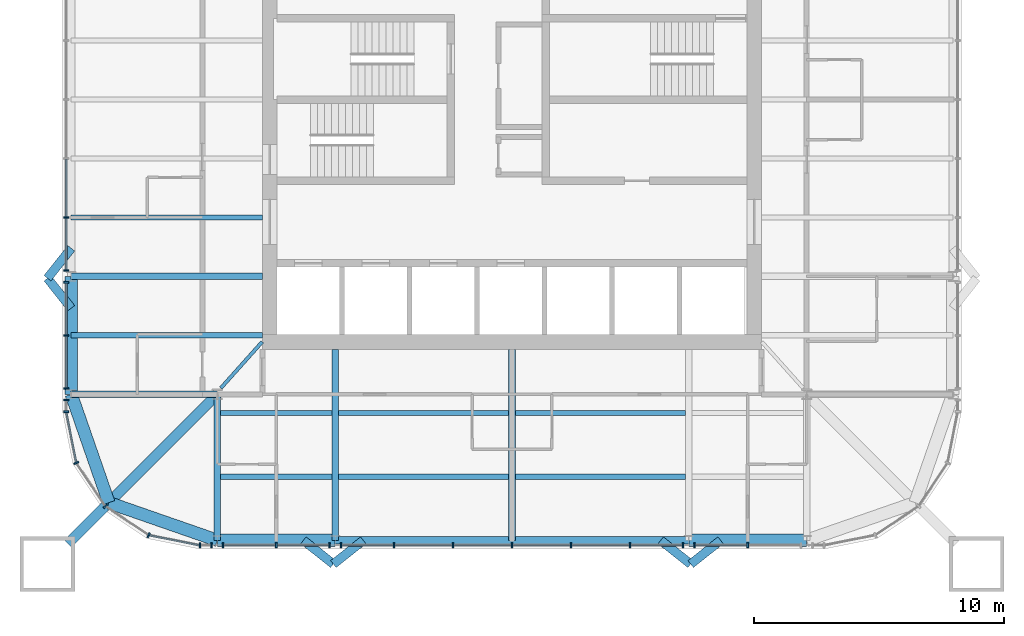
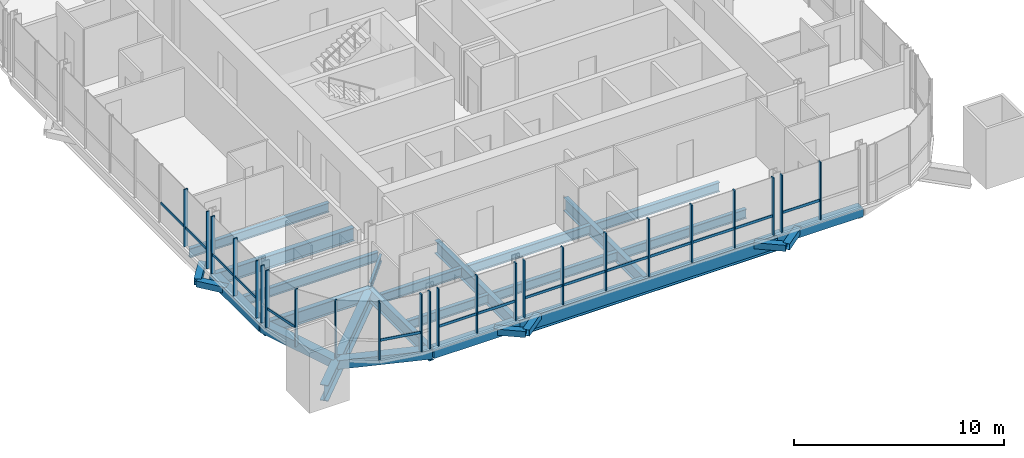
# One storey, part 2 of 17: 39 members, 27 beams, 8 elements without a shape of their own.
"""IFC4 building model written with IfcOpenShell, lengths in metres."""

from ifc_helpers import new_model, si_unit, direction, frame, origin, origin_2d, place, context, subcontext, project, spatial, rectangle, hollow_rectangle, i_section, extrude, material, material_profile, profile_set, type_object, element, aggregate, save


model = new_model("IFC4")

# Units and contexts
model_context = context("Model", 3, precision=1e-05, world=origin(), true_north=direction((0.0, 1.0)))
body_context = subcontext(model_context, "Body", "Model", "MODEL_VIEW")
ifc_project = project(units=[si_unit("LENGTHUNIT", "METRE"), si_unit("AREAUNIT", "SQUARE_METRE"), si_unit("VOLUMEUNIT", "CUBIC_METRE"), si_unit("PLANEANGLEUNIT", "RADIAN"), si_unit("MASSUNIT", "GRAM", prefix="KILO")], contexts=[model_context])

# Site, building, storey
site_placement = place(None, origin())
site = spatial("IfcSite", under=ifc_project, at=site_placement, CompositionType="ELEMENT")
building_placement = place(site_placement, origin())
building = spatial("IfcBuilding", under=site, at=building_placement, Name="Turquesa Mirador Hotel Tower", CompositionType="ELEMENT")
storey_placement = place(building_placement, frame((0.0, 0.0, 240.699951171875)))
storey = spatial("IfcBuildingStorey", under=building, at=storey_placement, Name="L65", CompositionType="ELEMENT", Elevation=240.699951171875)

# Beams
ifc_material_1 = material(Name="Steel ASTM A572 Grade 50", Category="steel")
ifc_material_profile_1 = material_profile(ifc_material_1, hollow_rectangle(XDim=0.5, YDim=0.5, WallThickness=0.01611328125, at=origin_2d()), Name="BOX500X500X16")
ifc_profile_set_1 = profile_set([ifc_material_profile_1], Name="Steel ASTM A572 Grade 50")
beam_type_1 = type_object("IfcBeamType", Name="BEAM BOX500X500X16", PredefinedType="BEAM", material=ifc_profile_set_1)
for number, where, z_axis, x_axis, name in (
    (1, (43.199951171875, 27.35009765625, -0.419921875), (1.0, 0.0, 0.0), (0.0, 1.0, 0.0), "EB-L65-S-L"),
    (2, (62.080078125, 27.35009765625, -0.419921875), (1.0, 0.0, 0.0), (0.0, 1.0, 0.0), "EB-L65-S-R"),
    (3, (37.35009765625, 33.199951171875, -0.419921875), (0.0, 1.0, 0.0), (-1.0, 0.0, 0.0), "EB-L65-W-L"),
):
    element("IfcBeam", number, at=place(storey_placement, frame(where, z_axis=z_axis, x_axis=x_axis)), inside=storey, type_object=beam_type_1, Name=name, PredefinedType="BEAM", context=body_context, shape_type="SweptSolid", body=[
        extrude(hollow_rectangle(XDim=0.5, YDim=0.5, WallThickness=0.01611328125, at=origin_2d()), origin(), (0.0, 0.0, 1.0), 4.719970703125),
    ])
for number, where, z_axis, x_axis, name in (
    (4, (37.35009765625, 33.199951171875, -0.419921875), (0.328170356092, -0.944618556552, 0.0), (0.944618556552, 0.328170356092, 0.0), "KE-L65-3-0"),
    (5, (38.8583984375, 28.8583984375, -0.419921875), (0.944618556552, -0.328170356092, 0.0), (0.328170356092, 0.944618556552, 0.0), "KE-L65-3-1"),
):
    element("IfcBeam", number, at=place(storey_placement, frame(where, z_axis=z_axis, x_axis=x_axis)), inside=storey, type_object=beam_type_1, Name=name, PredefinedType="BEAM", context=body_context, shape_type="SweptSolid", body=[
        extrude(hollow_rectangle(XDim=0.5, YDim=0.5, WallThickness=0.01611328125, at=origin_2d()), origin(), (0.0, 0.0, 1.0), 4.59619140625),
    ])
ifc_material_2 = material(Name="Steel ASTM A992 Grade 50", Category="steel")
ifc_material_profile_2 = material_profile(ifc_material_2, i_section(OverallWidth=0.140380859375, OverallDepth=0.40380859375, WebThickness=0.007080078125, FlangeThickness=0.01123046875, at=origin_2d()), Name="W16X31")
ifc_profile_set_2 = profile_set([ifc_material_profile_2], Name="Steel ASTM A992 Grade 50")
beam_type_2 = type_object("IfcBeamType", Name="BEAM W16X31", PredefinedType="BEAM", material=ifc_profile_set_2)
beam_1_placement = place(storey_placement, frame((43.343505859375, 33.44873046875, -0.371826171875), z_axis=(0.666806350186, 0.745231032198, 0.0), x_axis=(-0.745231032198, 0.666806350186, 0.0)))
element("IfcBeam", 6, at=beam_1_placement, inside=storey, type_object=beam_type_2, Name="KT-L65-3", PredefinedType="BEAM", context=body_context, shape_type="SweptSolid", body=[
    extrude(i_section(OverallWidth=0.140380859375, OverallDepth=0.40380859375, WebThickness=0.007080078125, FlangeThickness=0.01123046875, at=origin_2d()), origin(), (0.0, 0.0, 1.0), 2.484130859375),
])
ifc_material_3 = material(Name="Steel ASTM A992 Grade 50", Category="steel")
ifc_material_profile_3 = material_profile(ifc_material_3, i_section(OverallWidth=0.209228515625, OverallDepth=0.533447265625, WebThickness=0.01025390625, FlangeThickness=0.015625, at=origin_2d()), Name="W21X62")
ifc_profile_set_3 = profile_set([ifc_material_profile_3], Name="Steel ASTM A992 Grade 50")
beam_type_3 = type_object("IfcBeamType", Name="BEAM W21X62", PredefinedType="BEAM", material=ifc_profile_set_3)
beam_2_placement = place(storey_placement, frame((43.333251953125, 32.449951171875, -0.436767578125), z_axis=(1.0, 0.0, 0.0), x_axis=(0.0, 1.0, 0.0)))
element("IfcBeam", 7, at=beam_2_placement, inside=storey, type_object=beam_type_3, Name="IB-L65-S-1-0", PredefinedType="BEAM", context=body_context, shape_type="SweptSolid", body=[
    extrude(i_section(OverallWidth=0.209228515625, OverallDepth=0.533447265625, WebThickness=0.01025390625, FlangeThickness=0.015625, at=origin_2d()), origin(), (0.0, 0.0, 1.0), 4.453369140625),
])
for number, where, z_axis, x_axis, name in (
    (8, (48.053466796875, 32.449951171875, -0.436767578125), (1.0, 0.0, 0.0), (0.0, 1.0, 0.0), "IB-L65-S-1-1"),
    (9, (55.13330078125, 32.449951171875, -0.436767578125), (1.0, 0.0, 0.0), (0.0, 1.0, 0.0), "IB-L65-S-1-2"),
):
    element("IfcBeam", number, at=place(storey_placement, frame(where, z_axis=z_axis, x_axis=x_axis)), inside=storey, type_object=beam_type_3, Name=name, PredefinedType="BEAM", context=body_context, shape_type="SweptSolid", body=[
        extrude(i_section(OverallWidth=0.209228515625, OverallDepth=0.533447265625, WebThickness=0.01025390625, FlangeThickness=0.015625, at=origin_2d()), origin(), (0.0, 0.0, 1.0), 6.813232421875),
    ])
beam_3_placement = place(storey_placement, frame((43.333251953125, 29.89990234375, -0.436767578125), z_axis=(1.0, 0.0, 0.0), x_axis=(0.0, 1.0, 0.0)))
element("IfcBeam", 10, at=beam_3_placement, inside=storey, type_object=beam_type_3, Name="IB-L65-S-2-0", PredefinedType="BEAM", context=body_context, shape_type="SweptSolid", body=[
    extrude(i_section(OverallWidth=0.209228515625, OverallDepth=0.533447265625, WebThickness=0.01025390625, FlangeThickness=0.015625, at=origin_2d()), origin(), (0.0, 0.0, 1.0), 4.453369140625),
])
for number, where, z_axis, x_axis, name in (
    (11, (48.053466796875, 29.89990234375, -0.436767578125), (1.0, 0.0, 0.0), (0.0, 1.0, 0.0), "IB-L65-S-2-1"),
    (12, (55.13330078125, 29.89990234375, -0.436767578125), (1.0, 0.0, 0.0), (0.0, 1.0, 0.0), "IB-L65-S-2-2"),
):
    element("IfcBeam", number, at=place(storey_placement, frame(where, z_axis=z_axis, x_axis=x_axis)), inside=storey, type_object=beam_type_3, Name=name, PredefinedType="BEAM", context=body_context, shape_type="SweptSolid", body=[
        extrude(i_section(OverallWidth=0.209228515625, OverallDepth=0.533447265625, WebThickness=0.01025390625, FlangeThickness=0.015625, at=origin_2d()), origin(), (0.0, 0.0, 1.0), 6.813232421875),
    ])
for number, where, z_axis, x_axis, name in (
    (13, (37.35009765625, 35.56005859375, -0.436767578125), (1.0, 0.0, 0.0), (0.0, 1.0, 0.0), "BM-L65-W--9.44"),
    (14, (37.35009765625, 40.280029296875, -0.436767578125), (1.0, 0.0, 0.0), (0.0, 1.0, 0.0), "BM-L65-W--4.72"),
):
    element("IfcBeam", number, at=place(storey_placement, frame(where, z_axis=z_axis, x_axis=x_axis)), inside=storey, type_object=beam_type_3, Name=name, PredefinedType="BEAM", context=body_context, shape_type="SweptSolid", body=[
        extrude(i_section(OverallWidth=0.209228515625, OverallDepth=0.533447265625, WebThickness=0.01025390625, FlangeThickness=0.015625, at=origin_2d()), origin(), (0.0, 0.0, 1.0), 7.64990234375),
    ])
ifc_material_4 = material(Name="Steel ASTM A992 Grade 50", Category="steel")
ifc_material_profile_4 = material_profile(ifc_material_4, i_section(OverallWidth=0.2666015625, OverallDepth=0.7568359375, WebThickness=0.013916015625, FlangeThickness=0.019287109375, at=origin_2d()), Name="W30X108")
ifc_profile_set_4 = profile_set([ifc_material_profile_4], Name="Steel ASTM A992 Grade 50")
beam_type_4 = type_object("IfcBeamType", Name="BEAM W30X108", PredefinedType="BEAM", material=ifc_profile_set_4)
for number, where, z_axis, x_axis, name in (
    (15, (47.919921875, 27.35009765625, -0.54833984375), (0.0, 1.0, 0.0), (-1.0, 0.0, 0.0), "GD-L65-S--7.08"),
    (16, (55.0, 27.35009765625, -0.54833984375), (0.0, 1.0, 0.0), (-1.0, 0.0, 0.0), "GD-L65-S-+0.00"),
):
    element("IfcBeam", number, at=place(storey_placement, frame(where, z_axis=z_axis, x_axis=x_axis)), inside=storey, type_object=beam_type_4, Name=name, PredefinedType="BEAM", context=body_context, shape_type="SweptSolid", body=[
        extrude(i_section(OverallWidth=0.2666015625, OverallDepth=0.7568359375, WebThickness=0.013916015625, FlangeThickness=0.019287109375, at=origin_2d()), origin(), (0.0, 0.0, 1.0), 7.64990234375),
    ])
beam_4_placement = place(storey_placement, frame((43.199951171875, 27.35009765625, -0.54833984375), z_axis=(0.0, 1.0, 0.0), x_axis=(-1.0, 0.0, 0.0)))
element("IfcBeam", 17, at=beam_4_placement, inside=storey, type_object=beam_type_4, Name="GK-L65-S--11.80", PredefinedType="BEAM", context=body_context, shape_type="SweptSolid", body=[
    extrude(i_section(OverallWidth=0.2666015625, OverallDepth=0.7568359375, WebThickness=0.013916015625, FlangeThickness=0.019287109375, at=origin_2d()), origin(), (0.0, 0.0, 1.0), 5.849853515625),
])
beam_5_placement = place(storey_placement, frame((37.35009765625, 37.919921875, -0.54833984375), z_axis=(1.0, 0.0, 0.0), x_axis=(0.0, 1.0, 0.0)))
element("IfcBeam", 18, at=beam_5_placement, inside=storey, type_object=beam_type_4, Name="GD-L65-W--7.08", PredefinedType="BEAM", context=body_context, shape_type="SweptSolid", body=[
    extrude(i_section(OverallWidth=0.2666015625, OverallDepth=0.7568359375, WebThickness=0.013916015625, FlangeThickness=0.019287109375, at=origin_2d()), origin(), (0.0, 0.0, 1.0), 7.64990234375),
])
beam_6_placement = place(storey_placement, frame((37.35009765625, 33.199951171875, -0.54833984375), z_axis=(1.0, 0.0, 0.0), x_axis=(0.0, 1.0, 0.0)))
element("IfcBeam", 19, at=beam_6_placement, inside=storey, type_object=beam_type_4, Name="GK-L65-W--11.80", PredefinedType="BEAM", context=body_context, shape_type="SweptSolid", body=[
    extrude(i_section(OverallWidth=0.2666015625, OverallDepth=0.7568359375, WebThickness=0.013916015625, FlangeThickness=0.019287109375, at=origin_2d()), origin(), (0.0, 0.0, 1.0), 5.849853515625),
])
ifc_material_5 = material(Name="Steel ASTM A992 Grade 50", Category="steel")
ifc_material_profile_5 = material_profile(ifc_material_5, i_section(OverallWidth=0.3046875, OverallDepth=0.911865234375, WebThickness=0.015869140625, FlangeThickness=0.02392578125, at=origin_2d()), Name="W36X150")
ifc_profile_set_5 = profile_set([ifc_material_profile_5], Name="Steel ASTM A992 Grade 50")
beam_type_5 = type_object("IfcBeamType", Name="BEAM W36X150", PredefinedType="BEAM", material=ifc_profile_set_5)
beam_7_placement = place(storey_placement, frame((47.919921875, 27.35009765625, -0.6259765625), z_axis=(1.0, 0.0, 0.0), x_axis=(0.0, 1.0, 0.0)))
element("IfcBeam", 20, at=beam_7_placement, inside=storey, type_object=beam_type_5, Name="EB-L65-S-C", PredefinedType="BEAM", context=body_context, shape_type="SweptSolid", body=[
    extrude(i_section(OverallWidth=0.3046875, OverallDepth=0.911865234375, WebThickness=0.015869140625, FlangeThickness=0.02392578125, at=origin_2d()), origin(), (0.0, 0.0, 1.0), 14.16015625),
])
ifc_material_6 = material(Name="Steel ASTM A992 Grade 50", Category="steel")
ifc_material_profile_6 = material_profile(ifc_material_6, i_section(OverallWidth=0.419189453125, OverallDepth=0.927001953125, WebThickness=0.019287109375, FlangeThickness=0.031982421875, at=origin_2d()), Name="W36X231")
ifc_profile_set_6 = profile_set([ifc_material_profile_6], Name="Steel ASTM A992 Grade 50")
beam_type_6 = type_object("IfcBeamType", Name="BEAM W36X231", PredefinedType="BEAM", material=ifc_profile_set_6)
beam_8_placement = place(storey_placement, frame((43.199951171875, 33.199951171875, -0.633544921875), z_axis=(-0.707106781187, -0.707106781187, 0.0), x_axis=(0.707106781187, -0.707106781187, 0.0)))
element("IfcBeam", 21, at=beam_8_placement, inside=storey, type_object=beam_type_6, Name="KD-L65-3", PredefinedType="BEAM", context=body_context, shape_type="SweptSolid", body=[
    extrude(i_section(OverallWidth=0.419189453125, OverallDepth=0.927001953125, WebThickness=0.019287109375, FlangeThickness=0.031982421875, at=origin_2d()), origin(), (0.0, 0.0, 1.0), 8.46240234375),
])
ifc_material_7 = material(Name="Steel ASTM A500 Grade C", Category="steel")
ifc_material_profile_7 = material_profile(ifc_material_7, hollow_rectangle(XDim=0.355712890625, YDim=0.355712890625, WallThickness=0.0146484375, at=origin_2d()), Name="HSS14X14X5/8")
ifc_profile_set_7 = profile_set([ifc_material_profile_7], Name="Steel ASTM A500 Grade C")
beam_type_7 = type_object("IfcBeamType", Name="BRACE STRUT HSS14X14X5/8", PredefinedType="BEAM", material=ifc_profile_set_7)
for number, where, z_axis, x_axis, name in (
    (22, (47.84619140625, 26.39990234375, -0.34765625), (-0.783971428146, 0.620796907089, 0.0), (-0.620796907089, -0.783971428146, 0.0), "Brace strut"),
    (23, (47.84619140625, 26.39990234375, -0.34765625), (0.783971428146, 0.620796907089, 0.0), (-0.620796907089, 0.783971428146, 0.0), "Brace strut"),
    (24, (62.15380859375, 26.39990234375, -0.34765625), (-0.783971428146, 0.620796907089, 0.0), (-0.620796907089, -0.783971428146, 0.0), "Brace strut"),
    (25, (62.15380859375, 26.39990234375, -0.34765625), (0.783971428146, 0.620796907089, 0.0), (-0.620796907089, 0.783971428146, 0.0), "Brace strut"),
    (26, (36.39990234375, 37.84619140625, -0.34765625), (0.620796907089, -0.783971428146, 0.0), (0.783971428146, 0.620796907089, 0.0), "Brace strut"),
    (27, (36.39990234375, 37.84619140625, -0.34765625), (0.620796907089, 0.783971428146, 0.0), (-0.783971428146, 0.620796907089, 0.0), "Brace strut"),
):
    element("IfcBeam", number, at=place(storey_placement, frame(where, z_axis=z_axis, x_axis=x_axis)), inside=storey, type_object=beam_type_7, Name=name, PredefinedType="BEAM", context=body_context, shape_type="SweptSolid", body=[
        extrude(hollow_rectangle(XDim=0.355712890625, YDim=0.355712890625, WallThickness=0.0146484375, at=origin_2d()), origin(), (0.0, 0.0, 1.0), 1.530517578125),
    ])

# Curtain wall, members
ifc_material_8 = material(Name="Aluminium extrusion", Category="aluminium")
curtain_wall_type = type_object("IfcCurtainWallType", Name="CW-4 SUITE FRITTED CURTAIN WALL", PredefinedType="USERDEFINED", material=ifc_material_8)
curtain_wall_1_placement = place(storey_placement, origin())
curtain_wall_1 = element("IfcCurtainWall", 28, at=curtain_wall_1_placement, inside=storey, type_object=curtain_wall_type, Name="CW-4 SUITE FRITTED CURTAIN WALL L65", ObjectType="CURTAIN WALL", PredefinedType="USERDEFINED")
ifc_material_9 = material(Name="Aluminium extrusion", Category="aluminium")
ifc_material_profile_8 = material_profile(ifc_material_9, rectangle(XDim=0.06494140625, YDim=0.199951171875, at=origin_2d()), Name="MULLION 65X200")
ifc_profile_set_8 = profile_set([ifc_material_profile_8], Name="Aluminium extrusion")
member_type_1 = type_object("IfcMemberType", Name="CW MULLION 65X200", PredefinedType="MULLION", material=ifc_profile_set_8)
member_1_placement = place(storey_placement, frame((37.14990234375, 40.280029296875, 0.0), z_axis=(0.0, 0.0, 1.0), x_axis=(0.0, -1.0, 0.0)))
member_1 = element("IfcMember", 29, at=member_1_placement, type_object=member_type_1, Name="Mullion", PredefinedType="MULLION", context=body_context, shape_type="SweptSolid", body=[
    extrude(rectangle(XDim=0.06494140625, YDim=0.199951171875, at=origin_2d()), origin(), (0.0, 0.0, 1.0), 3.330078125),
])
member_2_placement = place(storey_placement, frame((37.14990234375, 38.15380859375, 0.0), z_axis=(0.0, 0.0, 1.0), x_axis=(0.0, -1.0, 0.0)))
member_2 = element("IfcMember", 30, at=member_2_placement, type_object=member_type_1, Name="Mullion", PredefinedType="MULLION", context=body_context, shape_type="SweptSolid", body=[
    extrude(rectangle(XDim=0.06494140625, YDim=0.199951171875, at=origin_2d()), origin(), (0.0, 0.0, 1.0), 3.330078125),
])

curtain_wall_2_placement = place(storey_placement, origin())
curtain_wall_2 = element("IfcCurtainWall", 31, at=curtain_wall_2_placement, inside=storey, type_object=curtain_wall_type, Name="CW-4 SUITE FRITTED CURTAIN WALL L65", ObjectType="CURTAIN WALL", PredefinedType="USERDEFINED")
member_3_placement = place(storey_placement, frame((37.14990234375, 37.68603515625, 0.0), z_axis=(0.0, 0.0, 1.0), x_axis=(0.0, -1.0, 0.0)))
member_3 = element("IfcMember", 32, at=member_3_placement, type_object=member_type_1, Name="Mullion", PredefinedType="MULLION", context=body_context, shape_type="SweptSolid", body=[
    extrude(rectangle(XDim=0.06494140625, YDim=0.199951171875, at=origin_2d()), origin(), (0.0, 0.0, 1.0), 3.330078125),
])
member_4_placement = place(storey_placement, frame((37.14990234375, 35.56005859375, 0.0), z_axis=(0.0, 0.0, 1.0), x_axis=(0.0, -1.0, 0.0)))
member_4 = element("IfcMember", 33, at=member_4_placement, type_object=member_type_1, Name="Mullion", PredefinedType="MULLION", context=body_context, shape_type="SweptSolid", body=[
    extrude(rectangle(XDim=0.06494140625, YDim=0.199951171875, at=origin_2d()), origin(), (0.0, 0.0, 1.0), 3.330078125),
])
member_5_placement = place(storey_placement, frame((37.14990234375, 33.433837890625, 0.0), z_axis=(0.0, 0.0, 1.0), x_axis=(0.0, -1.0, 0.0)))
member_5 = element("IfcMember", 34, at=member_5_placement, type_object=member_type_1, Name="Mullion", PredefinedType="MULLION", context=body_context, shape_type="SweptSolid", body=[
    extrude(rectangle(XDim=0.06494140625, YDim=0.199951171875, at=origin_2d()), origin(), (0.0, 0.0, 1.0), 3.330078125),
])

curtain_wall_3_placement = place(storey_placement, origin())
curtain_wall_3 = element("IfcCurtainWall", 35, at=curtain_wall_3_placement, inside=storey, type_object=curtain_wall_type, Name="CW-4 SUITE FRITTED CURTAIN WALL L65", ObjectType="CURTAIN WALL", PredefinedType="USERDEFINED")
member_6_placement = place(storey_placement, frame((37.14990234375, 32.966064453125, 0.0), z_axis=(0.0, 0.0, 1.0), x_axis=(0.0, -1.0, 0.0)))
member_6 = element("IfcMember", 36, at=member_6_placement, type_object=member_type_1, Name="Mullion", PredefinedType="MULLION", context=body_context, shape_type="SweptSolid", body=[
    extrude(rectangle(XDim=0.06494140625, YDim=0.199951171875, at=origin_2d()), origin(), (0.0, 0.0, 1.0), 3.330078125),
])
member_7_placement = place(storey_placement, frame((37.14990234375, 32.5, 0.0), z_axis=(0.0, 0.0, 1.0), x_axis=(0.0, -1.0, 0.0)))
member_7 = element("IfcMember", 37, at=member_7_placement, type_object=member_type_1, Name="Mullion", PredefinedType="MULLION", context=body_context, shape_type="SweptSolid", body=[
    extrude(rectangle(XDim=0.06494140625, YDim=0.199951171875, at=origin_2d()), origin(), (0.0, 0.0, 1.0), 3.330078125),
])
aggregate(curtain_wall_3, [member_6, member_7])

curtain_wall_4_placement = place(storey_placement, origin())
curtain_wall_4 = element("IfcCurtainWall", 38, at=curtain_wall_4_placement, inside=storey, type_object=curtain_wall_type, Name="CW-4 SUITE FRITTED CURTAIN WALL L65", ObjectType="CURTAIN WALL", PredefinedType="USERDEFINED")
member_8_placement = place(storey_placement, frame((37.55712890625, 30.45263671875, 0.0), z_axis=(0.0, 0.0, 1.0), x_axis=(0.382683432365, -0.923879532511, 0.0)))
member_8 = element("IfcMember", 39, at=member_8_placement, type_object=member_type_1, Name="Mullion", PredefinedType="MULLION", context=body_context, shape_type="SweptSolid", body=[
    extrude(rectangle(XDim=0.06494140625, YDim=0.199951171875, at=origin_2d()), origin(), (0.0, 0.0, 1.0), 3.330078125),
])
member_9_placement = place(storey_placement, frame((38.717041015625, 28.717041015625, 0.0), z_axis=(0.0, 0.0, 1.0), x_axis=(0.707106781187, -0.707106781187, 0.0)))
member_9 = element("IfcMember", 40, at=member_9_placement, type_object=member_type_1, Name="Mullion", PredefinedType="MULLION", context=body_context, shape_type="SweptSolid", body=[
    extrude(rectangle(XDim=0.06494140625, YDim=0.199951171875, at=origin_2d()), origin(), (0.0, 0.0, 1.0), 3.330078125),
])
member_10_placement = place(storey_placement, frame((40.45263671875, 27.55712890625, 0.0), z_axis=(0.0, 0.0, 1.0), x_axis=(0.923879532511, -0.382683432365, 0.0)))
member_10 = element("IfcMember", 41, at=member_10_placement, type_object=member_type_1, Name="Mullion", PredefinedType="MULLION", context=body_context, shape_type="SweptSolid", body=[
    extrude(rectangle(XDim=0.06494140625, YDim=0.199951171875, at=origin_2d()), origin(), (0.0, 0.0, 1.0), 3.330078125),
])

curtain_wall_5_placement = place(storey_placement, origin())
curtain_wall_5 = element("IfcCurtainWall", 42, at=curtain_wall_5_placement, inside=storey, type_object=curtain_wall_type, Name="CW-4 SUITE FRITTED CURTAIN WALL L65", ObjectType="CURTAIN WALL", PredefinedType="USERDEFINED")
member_11_placement = place(storey_placement, frame((42.5, 27.14990234375, 0.0), z_axis=(0.0, 0.0, 1.0), x_axis=(1.0, 0.0, 0.0)))
member_11 = element("IfcMember", 43, at=member_11_placement, type_object=member_type_1, Name="Mullion", PredefinedType="MULLION", context=body_context, shape_type="SweptSolid", body=[
    extrude(rectangle(XDim=0.06494140625, YDim=0.199951171875, at=origin_2d()), origin(), (0.0, 0.0, 1.0), 3.330078125),
])
member_12_placement = place(storey_placement, frame((42.966064453125, 27.14990234375, 0.0), z_axis=(0.0, 0.0, 1.0), x_axis=(1.0, 0.0, 0.0)))
member_12 = element("IfcMember", 44, at=member_12_placement, type_object=member_type_1, Name="Mullion", PredefinedType="MULLION", context=body_context, shape_type="SweptSolid", body=[
    extrude(rectangle(XDim=0.06494140625, YDim=0.199951171875, at=origin_2d()), origin(), (0.0, 0.0, 1.0), 3.330078125),
])
aggregate(curtain_wall_5, [member_11, member_12])

curtain_wall_6_placement = place(storey_placement, origin())
curtain_wall_6 = element("IfcCurtainWall", 45, at=curtain_wall_6_placement, inside=storey, type_object=curtain_wall_type, Name="CW-4 SUITE FRITTED CURTAIN WALL L65", ObjectType="CURTAIN WALL", PredefinedType="USERDEFINED")
member_13_placement = place(storey_placement, frame((43.433837890625, 27.14990234375, 0.0), z_axis=(0.0, 0.0, 1.0), x_axis=(1.0, 0.0, 0.0)))
member_13 = element("IfcMember", 46, at=member_13_placement, type_object=member_type_1, Name="Mullion", PredefinedType="MULLION", context=body_context, shape_type="SweptSolid", body=[
    extrude(rectangle(XDim=0.06494140625, YDim=0.199951171875, at=origin_2d()), origin(), (0.0, 0.0, 1.0), 3.330078125),
])
member_14_placement = place(storey_placement, frame((45.56005859375, 27.14990234375, 0.0), z_axis=(0.0, 0.0, 1.0), x_axis=(1.0, 0.0, 0.0)))
member_14 = element("IfcMember", 47, at=member_14_placement, type_object=member_type_1, Name="Mullion", PredefinedType="MULLION", context=body_context, shape_type="SweptSolid", body=[
    extrude(rectangle(XDim=0.06494140625, YDim=0.199951171875, at=origin_2d()), origin(), (0.0, 0.0, 1.0), 3.330078125),
])
member_15_placement = place(storey_placement, frame((47.68603515625, 27.14990234375, 0.0), z_axis=(0.0, 0.0, 1.0), x_axis=(1.0, 0.0, 0.0)))
member_15 = element("IfcMember", 48, at=member_15_placement, type_object=member_type_1, Name="Mullion", PredefinedType="MULLION", context=body_context, shape_type="SweptSolid", body=[
    extrude(rectangle(XDim=0.06494140625, YDim=0.199951171875, at=origin_2d()), origin(), (0.0, 0.0, 1.0), 3.330078125),
])

curtain_wall_7_placement = place(storey_placement, origin())
curtain_wall_7 = element("IfcCurtainWall", 49, at=curtain_wall_7_placement, inside=storey, type_object=curtain_wall_type, Name="CW-4 SUITE FRITTED CURTAIN WALL L65", ObjectType="CURTAIN WALL", PredefinedType="USERDEFINED")
member_16_placement = place(storey_placement, frame((48.15380859375, 27.14990234375, 0.0), z_axis=(0.0, 0.0, 1.0), x_axis=(1.0, 0.0, 0.0)))
member_16 = element("IfcMember", 50, at=member_16_placement, type_object=member_type_1, Name="Mullion", PredefinedType="MULLION", context=body_context, shape_type="SweptSolid", body=[
    extrude(rectangle(XDim=0.06494140625, YDim=0.199951171875, at=origin_2d()), origin(), (0.0, 0.0, 1.0), 3.330078125),
])
member_17_placement = place(storey_placement, frame((50.280029296875, 27.14990234375, 0.0), z_axis=(0.0, 0.0, 1.0), x_axis=(1.0, 0.0, 0.0)))
member_17 = element("IfcMember", 51, at=member_17_placement, type_object=member_type_1, Name="Mullion", PredefinedType="MULLION", context=body_context, shape_type="SweptSolid", body=[
    extrude(rectangle(XDim=0.06494140625, YDim=0.199951171875, at=origin_2d()), origin(), (0.0, 0.0, 1.0), 3.330078125),
])
member_18_placement = place(storey_placement, frame((52.639892578125, 27.14990234375, 0.0), z_axis=(0.0, 0.0, 1.0), x_axis=(1.0, 0.0, 0.0)))
member_18 = element("IfcMember", 52, at=member_18_placement, type_object=member_type_1, Name="Mullion", PredefinedType="MULLION", context=body_context, shape_type="SweptSolid", body=[
    extrude(rectangle(XDim=0.06494140625, YDim=0.199951171875, at=origin_2d()), origin(), (0.0, 0.0, 1.0), 3.330078125),
])
member_19_placement = place(storey_placement, frame((55.0, 27.14990234375, 0.0), z_axis=(0.0, 0.0, 1.0), x_axis=(1.0, 0.0, 0.0)))
member_19 = element("IfcMember", 53, at=member_19_placement, type_object=member_type_1, Name="Mullion", PredefinedType="MULLION", context=body_context, shape_type="SweptSolid", body=[
    extrude(rectangle(XDim=0.06494140625, YDim=0.199951171875, at=origin_2d()), origin(), (0.0, 0.0, 1.0), 3.330078125),
])
member_20_placement = place(storey_placement, frame((57.360107421875, 27.14990234375, 0.0), z_axis=(0.0, 0.0, 1.0), x_axis=(1.0, 0.0, 0.0)))
member_20 = element("IfcMember", 54, at=member_20_placement, type_object=member_type_1, Name="Mullion", PredefinedType="MULLION", context=body_context, shape_type="SweptSolid", body=[
    extrude(rectangle(XDim=0.06494140625, YDim=0.199951171875, at=origin_2d()), origin(), (0.0, 0.0, 1.0), 3.330078125),
])
member_21_placement = place(storey_placement, frame((59.719970703125, 27.14990234375, 0.0), z_axis=(0.0, 0.0, 1.0), x_axis=(1.0, 0.0, 0.0)))
member_21 = element("IfcMember", 55, at=member_21_placement, type_object=member_type_1, Name="Mullion", PredefinedType="MULLION", context=body_context, shape_type="SweptSolid", body=[
    extrude(rectangle(XDim=0.06494140625, YDim=0.199951171875, at=origin_2d()), origin(), (0.0, 0.0, 1.0), 3.330078125),
])
member_22_placement = place(storey_placement, frame((61.84619140625, 27.14990234375, 0.0), z_axis=(0.0, 0.0, 1.0), x_axis=(1.0, 0.0, 0.0)))
member_22 = element("IfcMember", 56, at=member_22_placement, type_object=member_type_1, Name="Mullion", PredefinedType="MULLION", context=body_context, shape_type="SweptSolid", body=[
    extrude(rectangle(XDim=0.06494140625, YDim=0.199951171875, at=origin_2d()), origin(), (0.0, 0.0, 1.0), 3.330078125),
])

curtain_wall_8_placement = place(storey_placement, origin())
curtain_wall_8 = element("IfcCurtainWall", 57, at=curtain_wall_8_placement, inside=storey, type_object=curtain_wall_type, Name="CW-4 SUITE FRITTED CURTAIN WALL L65", ObjectType="CURTAIN WALL", PredefinedType="USERDEFINED")
member_23_placement = place(storey_placement, frame((62.31396484375, 27.14990234375, 0.0), z_axis=(0.0, 0.0, 1.0), x_axis=(1.0, 0.0, 0.0)))
member_23 = element("IfcMember", 58, at=member_23_placement, type_object=member_type_1, Name="Mullion", PredefinedType="MULLION", context=body_context, shape_type="SweptSolid", body=[
    extrude(rectangle(XDim=0.06494140625, YDim=0.199951171875, at=origin_2d()), origin(), (0.0, 0.0, 1.0), 3.330078125),
])
member_24_placement = place(storey_placement, frame((64.43994140625, 27.14990234375, 0.0), z_axis=(0.0, 0.0, 1.0), x_axis=(1.0, 0.0, 0.0)))
member_24 = element("IfcMember", 59, at=member_24_placement, type_object=member_type_1, Name="Mullion", PredefinedType="MULLION", context=body_context, shape_type="SweptSolid", body=[
    extrude(rectangle(XDim=0.06494140625, YDim=0.199951171875, at=origin_2d()), origin(), (0.0, 0.0, 1.0), 3.330078125),
])

# Member
ifc_material_10 = material(Name="Aluminium extrusion", Category="aluminium")
ifc_material_profile_9 = material_profile(ifc_material_10, rectangle(XDim=0.06494140625, YDim=0.14990234375, at=origin_2d()), Name="TRANSOM 65X150")
ifc_profile_set_9 = profile_set([ifc_material_profile_9], Name="Aluminium extrusion")
member_type_2 = type_object("IfcMemberType", Name="CW TRANSOM 65X150", PredefinedType="USERDEFINED", material=ifc_profile_set_9)
member_25_placement = place(storey_placement, frame((37.14990234375, 42.607421875, 1.10009765625), z_axis=(0.0, -1.0, 0.0), x_axis=(1.0, 0.0, 0.0)))
member_25 = element("IfcMember", 60, at=member_25_placement, type_object=member_type_2, Name="Transom", ObjectType="TRANSOM", PredefinedType="USERDEFINED", context=body_context, shape_type="SweptSolid", body=[
    extrude(rectangle(XDim=0.06494140625, YDim=0.14990234375, at=origin_2d()), origin(), (0.0, 0.0, 1.0), 2.294921875),
])

member_26_placement = place(storey_placement, frame((37.14990234375, 40.24755859375, 1.10009765625), z_axis=(0.0, -1.0, 0.0), x_axis=(1.0, 0.0, 0.0)))
member_26 = element("IfcMember", 61, at=member_26_placement, type_object=member_type_2, Name="Transom", ObjectType="TRANSOM", PredefinedType="USERDEFINED", context=body_context, shape_type="SweptSolid", body=[
    extrude(rectangle(XDim=0.06494140625, YDim=0.14990234375, at=origin_2d()), origin(), (0.0, 0.0, 1.0), 2.061279296875),
])

aggregate(curtain_wall_1, [member_1, member_2, member_25, member_26])

member_27_placement = place(storey_placement, frame((37.14990234375, 37.653564453125, 1.10009765625), z_axis=(0.0, -1.0, 0.0), x_axis=(1.0, 0.0, 0.0)))
member_27 = element("IfcMember", 62, at=member_27_placement, type_object=member_type_2, Name="Transom", ObjectType="TRANSOM", PredefinedType="USERDEFINED", context=body_context, shape_type="SweptSolid", body=[
    extrude(rectangle(XDim=0.06494140625, YDim=0.14990234375, at=origin_2d()), origin(), (0.0, 0.0, 1.0), 2.06103515625),
])

member_28_placement = place(storey_placement, frame((37.14990234375, 35.527587890625, 1.10009765625), z_axis=(0.0, -1.0, 0.0), x_axis=(1.0, 0.0, 0.0)))
member_28 = element("IfcMember", 63, at=member_28_placement, type_object=member_type_2, Name="Transom", ObjectType="TRANSOM", PredefinedType="USERDEFINED", context=body_context, shape_type="SweptSolid", body=[
    extrude(rectangle(XDim=0.06494140625, YDim=0.14990234375, at=origin_2d()), origin(), (0.0, 0.0, 1.0), 2.061279296875),
])

aggregate(curtain_wall_2, [member_3, member_4, member_5, member_27, member_28])

member_29_placement = place(storey_placement, frame((37.15625, 32.468017578125, 1.10009765625), z_axis=(0.195210621934, -0.980761343592, 0.0), x_axis=(0.980761343592, 0.195210621934, 0.0)))
member_29 = element("IfcMember", 64, at=member_29_placement, type_object=member_type_2, Name="Transom", ObjectType="TRANSOM", PredefinedType="USERDEFINED", context=body_context, shape_type="SweptSolid", body=[
    extrude(rectangle(XDim=0.06494140625, YDim=0.14990234375, at=origin_2d()), origin(), (0.0, 0.0, 1.0), 2.022216796875),
])

member_30_placement = place(storey_placement, frame((40.484619140625, 27.551025390625, 1.10009765625), z_axis=(0.980761343592, -0.195210621934, 0.0), x_axis=(0.195210621934, 0.980761343592, 0.0)))
member_30 = element("IfcMember", 65, at=member_30_placement, type_object=member_type_2, Name="Transom", ObjectType="TRANSOM", PredefinedType="USERDEFINED", context=body_context, shape_type="SweptSolid", body=[
    extrude(rectangle(XDim=0.06494140625, YDim=0.14990234375, at=origin_2d()), origin(), (0.0, 0.0, 1.0), 2.022216796875),
])

aggregate(curtain_wall_4, [member_8, member_9, member_10, member_29, member_30])

member_31_placement = place(storey_placement, frame((43.46630859375, 27.14990234375, 1.10009765625), z_axis=(1.0, 0.0, 0.0), x_axis=(0.0, 1.0, 0.0)))
member_31 = element("IfcMember", 66, at=member_31_placement, type_object=member_type_2, Name="Transom", ObjectType="TRANSOM", PredefinedType="USERDEFINED", context=body_context, shape_type="SweptSolid", body=[
    extrude(rectangle(XDim=0.06494140625, YDim=0.14990234375, at=origin_2d()), origin(), (0.0, 0.0, 1.0), 2.061279296875),
])

member_32_placement = place(storey_placement, frame((45.592529296875, 27.14990234375, 1.10009765625), z_axis=(1.0, 0.0, 0.0), x_axis=(0.0, 1.0, 0.0)))
member_32 = element("IfcMember", 67, at=member_32_placement, type_object=member_type_2, Name="Transom", ObjectType="TRANSOM", PredefinedType="USERDEFINED", context=body_context, shape_type="SweptSolid", body=[
    extrude(rectangle(XDim=0.06494140625, YDim=0.14990234375, at=origin_2d()), origin(), (0.0, 0.0, 1.0), 2.06103515625),
])

aggregate(curtain_wall_6, [member_13, member_14, member_15, member_31, member_32])

member_33_placement = place(storey_placement, frame((48.186279296875, 27.14990234375, 1.10009765625), z_axis=(1.0, 0.0, 0.0), x_axis=(0.0, 1.0, 0.0)))
member_33 = element("IfcMember", 68, at=member_33_placement, type_object=member_type_2, Name="Transom", ObjectType="TRANSOM", PredefinedType="USERDEFINED", context=body_context, shape_type="SweptSolid", body=[
    extrude(rectangle(XDim=0.06494140625, YDim=0.14990234375, at=origin_2d()), origin(), (0.0, 0.0, 1.0), 2.061279296875),
])

member_34_placement = place(storey_placement, frame((50.3125, 27.14990234375, 1.10009765625), z_axis=(1.0, 0.0, 0.0), x_axis=(0.0, 1.0, 0.0)))
member_34 = element("IfcMember", 69, at=member_34_placement, type_object=member_type_2, Name="Transom", ObjectType="TRANSOM", PredefinedType="USERDEFINED", context=body_context, shape_type="SweptSolid", body=[
    extrude(rectangle(XDim=0.06494140625, YDim=0.14990234375, at=origin_2d()), origin(), (0.0, 0.0, 1.0), 2.294921875),
])

member_35_placement = place(storey_placement, frame((52.672607421875, 27.14990234375, 1.10009765625), z_axis=(1.0, 0.0, 0.0), x_axis=(0.0, 1.0, 0.0)))
member_35 = element("IfcMember", 70, at=member_35_placement, type_object=member_type_2, Name="Transom", ObjectType="TRANSOM", PredefinedType="USERDEFINED", context=body_context, shape_type="SweptSolid", body=[
    extrude(rectangle(XDim=0.06494140625, YDim=0.14990234375, at=origin_2d()), origin(), (0.0, 0.0, 1.0), 2.294921875),
])

member_36_placement = place(storey_placement, frame((55.032470703125, 27.14990234375, 1.10009765625), z_axis=(1.0, 0.0, 0.0), x_axis=(0.0, 1.0, 0.0)))
member_36 = element("IfcMember", 71, at=member_36_placement, type_object=member_type_2, Name="Transom", ObjectType="TRANSOM", PredefinedType="USERDEFINED", context=body_context, shape_type="SweptSolid", body=[
    extrude(rectangle(XDim=0.06494140625, YDim=0.14990234375, at=origin_2d()), origin(), (0.0, 0.0, 1.0), 2.294921875),
])

member_37_placement = place(storey_placement, frame((57.392578125, 27.14990234375, 1.10009765625), z_axis=(1.0, 0.0, 0.0), x_axis=(0.0, 1.0, 0.0)))
member_37 = element("IfcMember", 72, at=member_37_placement, type_object=member_type_2, Name="Transom", ObjectType="TRANSOM", PredefinedType="USERDEFINED", context=body_context, shape_type="SweptSolid", body=[
    extrude(rectangle(XDim=0.06494140625, YDim=0.14990234375, at=origin_2d()), origin(), (0.0, 0.0, 1.0), 2.294921875),
])

member_38_placement = place(storey_placement, frame((59.75244140625, 27.14990234375, 1.10009765625), z_axis=(1.0, 0.0, 0.0), x_axis=(0.0, 1.0, 0.0)))
member_38 = element("IfcMember", 73, at=member_38_placement, type_object=member_type_2, Name="Transom", ObjectType="TRANSOM", PredefinedType="USERDEFINED", context=body_context, shape_type="SweptSolid", body=[
    extrude(rectangle(XDim=0.06494140625, YDim=0.14990234375, at=origin_2d()), origin(), (0.0, 0.0, 1.0), 2.061279296875),
])

aggregate(curtain_wall_7, [member_16, member_17, member_18, member_19, member_20, member_21, member_22, member_33, member_34, member_35, member_36, member_37, member_38])

member_39_placement = place(storey_placement, frame((62.346435546875, 27.14990234375, 1.10009765625), z_axis=(1.0, 0.0, 0.0), x_axis=(0.0, 1.0, 0.0)))
member_39 = element("IfcMember", 74, at=member_39_placement, type_object=member_type_2, Name="Transom", ObjectType="TRANSOM", PredefinedType="USERDEFINED", context=body_context, shape_type="SweptSolid", body=[
    extrude(rectangle(XDim=0.06494140625, YDim=0.14990234375, at=origin_2d()), origin(), (0.0, 0.0, 1.0), 2.06103515625),
])

aggregate(curtain_wall_8, [member_23, member_24, member_39])

save(model, "model.ifc")
